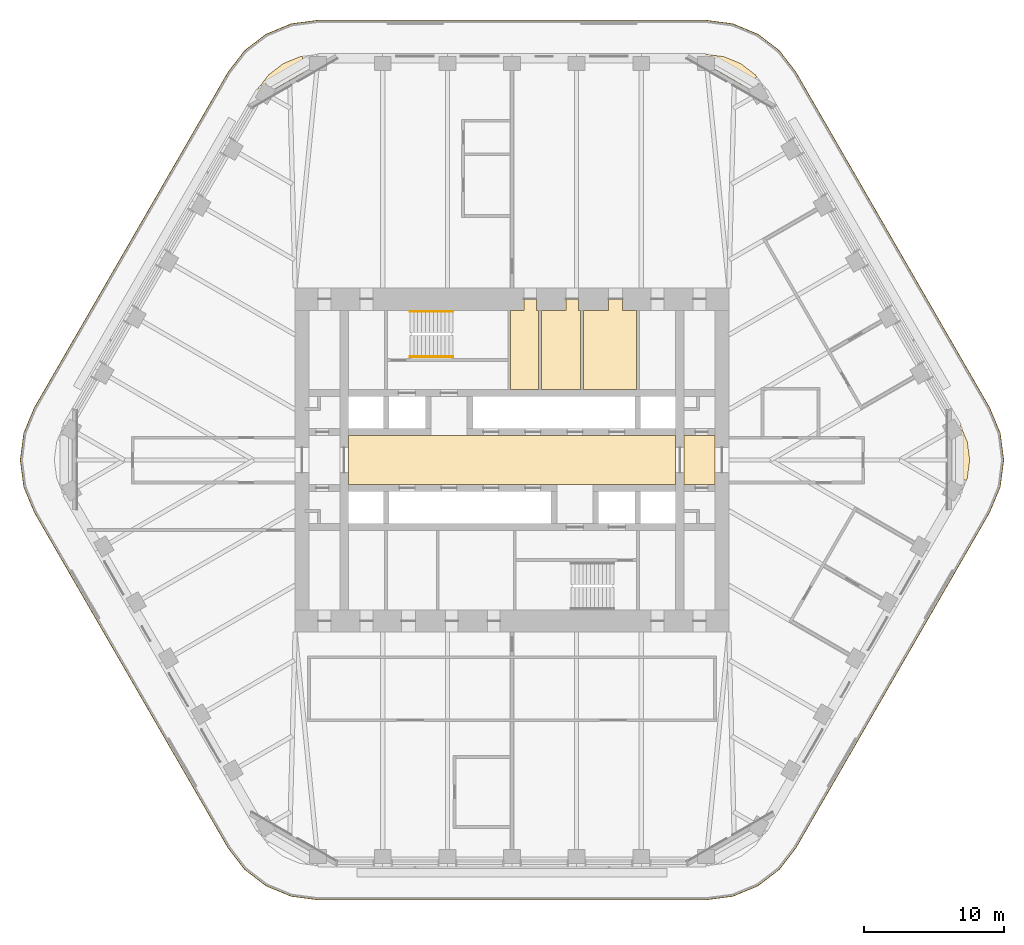
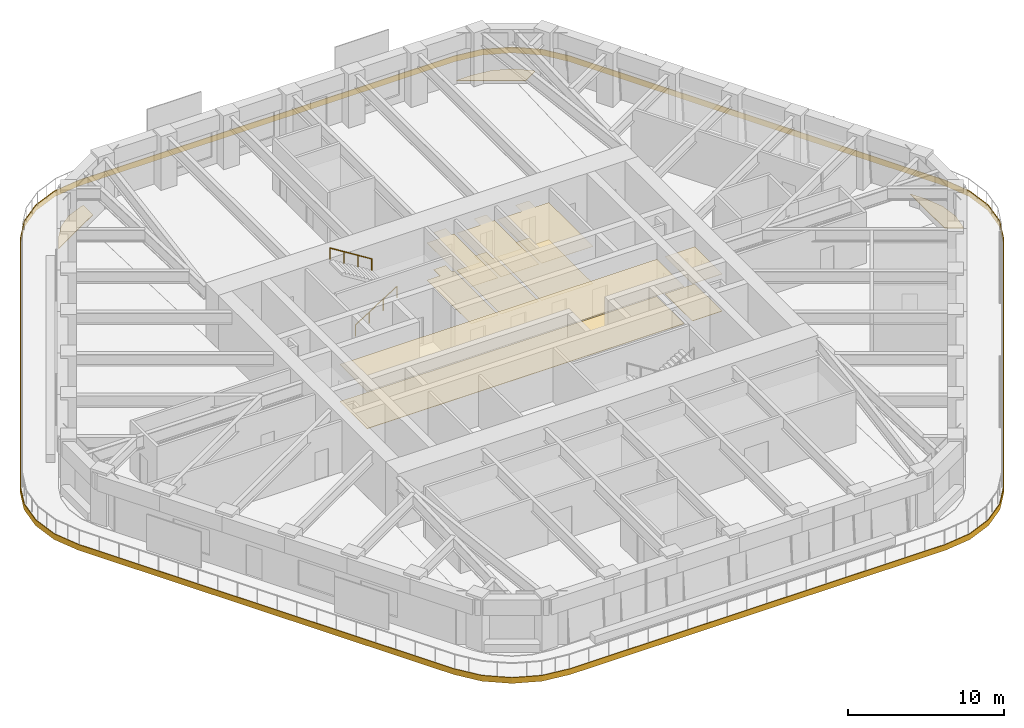
# One storey, part 19 of 20: 14 coverings, 2 railings.
"""IFC4 building model written with IfcOpenShell, lengths in metres."""

from ifc_helpers import new_model, si_unit, direction, frame, origin, origin_2d, place, context, subcontext, project, spatial, polyline, circle, outline, extrude, material, layer, layer_set, type_object, element, save


model = new_model("IFC4")

# Units and contexts
model_context = context("Model", 3, precision=1e-05, world=origin(), true_north=direction((0.0, 1.0)))
body_context = subcontext(model_context, "Body", "Model", "MODEL_VIEW")
ifc_project = project(units=[si_unit("LENGTHUNIT", "METRE"), si_unit("AREAUNIT", "SQUARE_METRE"), si_unit("VOLUMEUNIT", "CUBIC_METRE"), si_unit("PLANEANGLEUNIT", "RADIAN"), si_unit("MASSUNIT", "GRAM", prefix="KILO")], contexts=[model_context])

# Site, building, storey
site_placement = place(None, origin())
site = spatial("IfcSite", under=ifc_project, at=site_placement, CompositionType="ELEMENT")
building_placement = place(site_placement, origin())
building = spatial("IfcBuilding", under=site, at=building_placement, Name="Tarfa Lantern Tower", CompositionType="ELEMENT")
storey_placement = place(building_placement, frame((0.0, 0.0, 265.89990234375)))
storey = spatial("IfcBuildingStorey", under=building, at=storey_placement, Name="L60", CompositionType="ELEMENT", Elevation=265.89990234375)

# Coverings
ifc_material_1 = material(Name="Moisture-resistant plasterboard", Category="finish")
ifc_layer_1 = layer(ifc_material_1, 0.014892578125)
ifc_layer_set_1 = layer_set([ifc_layer_1], Name="CL2 MOISTURE-RESISTANT PLASTERBOARD CEILING 15")
covering_type_1 = type_object("IfcCoveringType", Name="CL2 MOISTURE-RESISTANT PLASTERBOARD CEILING 15", PredefinedType="CEILING", material=ifc_layer_set_1)
covering_1_placement = place(storey_placement, frame((0.0, 0.0, 2.900146484375)))
element("IfcCovering", 1, at=covering_1_placement, inside=storey, type_object=covering_type_1, Name="Ceiling L60-07", PredefinedType="CEILING", context=body_context, shape_type="SweptSolid", body=[
    extrude(outline(polyline([(0.85009765625, 10.699951171875), (-0.10009765625, 10.699951171875), (-0.10009765625, 5.050048828125), (1.89990234375, 5.050048828125), (1.89990234375, 10.699951171875), (1.75, 10.699951171875), (1.75, 11.5), (1.75, 11.5), (0.85009765625, 11.5), (0.85009765625, 10.699951171875)])), origin(), (0.0, 0.0, 1.0), 0.014892578125),
])
covering_2_placement = place(storey_placement, frame((0.0, 0.0, 2.900146484375)))
element("IfcCovering", 2, at=covering_2_placement, inside=storey, type_object=covering_type_1, Name="Ceiling L60-08", PredefinedType="CEILING", context=body_context, shape_type="SweptSolid", body=[
    extrude(outline(polyline([(2.10009765625, 5.050048828125), (4.89990234375, 5.050048828125), (4.89990234375, 10.699951171875), (4.75, 10.699951171875), (4.75, 11.5), (3.85009765625, 11.5), (3.85009765625, 10.699951171875), (2.10009765625, 10.699951171875), (2.10009765625, 5.050048828125)])), origin(), (0.0, 0.0, 1.0), 0.014892578125),
])
covering_3_placement = place(storey_placement, frame((0.0, 0.0, 2.900146484375)))
element("IfcCovering", 3, at=covering_3_placement, inside=storey, type_object=covering_type_1, Name="Ceiling L60-09", PredefinedType="CEILING", context=body_context, shape_type="SweptSolid", body=[
    extrude(outline(polyline([(5.10009765625, 5.050048828125), (8.89990234375, 5.050048828125), (8.89990234375, 10.699951171875), (7.89990234375, 10.699951171875), (7.89990234375, 11.5), (6.89990234375, 11.5), (6.89990234375, 10.699951171875), (5.10009765625, 10.699951171875), (5.10009765625, 5.050048828125)])), origin(), (0.0, 0.0, 1.0), 0.014892578125),
])
ifc_material_2 = material(Name="Powder-coated aluminium panel", Category="aluminium")
ifc_layer_2 = layer(ifc_material_2, 0.030029296875)
ifc_layer_set_2 = layer_set([ifc_layer_2], Name="CL3 METAL PANEL CEILING 30")
covering_type_2 = type_object("IfcCoveringType", Name="CL3 METAL PANEL CEILING 30", PredefinedType="CEILING", material=ifc_layer_set_2)
covering_4_placement = place(storey_placement, frame((0.0, 0.0, 2.900146484375)))
element("IfcCovering", 4, at=covering_4_placement, inside=storey, type_object=covering_type_2, Name="Ceiling L60-02", PredefinedType="CEILING", context=body_context, shape_type="SweptSolid", body=[
    extrude(outline(polyline([(-11.699951171875, -1.75), (11.699951171875, -1.75), (11.699951171875, 1.75), (-11.699951171875, 1.75), (-11.699951171875, -1.75)])), origin(), (0.0, 0.0, 1.0), 0.030029296875),
])
covering_5_placement = place(storey_placement, frame((0.0, 0.0, 2.900146484375)))
element("IfcCovering", 5, at=covering_5_placement, inside=storey, type_object=covering_type_2, Name="Ceiling L60-03", PredefinedType="CEILING", context=body_context, shape_type="SweptSolid", body=[
    extrude(outline(polyline([(12.300048828125, -1.75), (14.5, -1.75), (14.5, 1.75), (12.300048828125, 1.75), (12.300048828125, -1.75)])), origin(), (0.0, 0.0, 1.0), 0.030029296875),
])
ifc_material_3 = material(Name="Honed limestone flooring", Category="masonry")
ifc_layer_3 = layer(ifc_material_3, 0.030029296875)
ifc_layer_set_3 = layer_set([ifc_layer_3], Name="FL2 STONE FLOORING 30")
covering_type_3 = type_object("IfcCoveringType", Name="FL2 STONE FLOORING 30", PredefinedType="FLOORING", material=ifc_layer_set_3)
covering_6_placement = place(storey_placement, origin())
element("IfcCovering", 6, at=covering_6_placement, inside=storey, type_object=covering_type_3, Name="Floor finish L60-02", PredefinedType="FLOORING", context=body_context, shape_type="SweptSolid", body=[
    extrude(outline(polyline([(-11.699951171875, -1.75), (11.699951171875, -1.75), (11.699951171875, 1.75), (-11.699951171875, 1.75), (-11.699951171875, -1.75)])), origin(), (0.0, 0.0, 1.0), 0.030029296875),
])
covering_7_placement = place(storey_placement, origin())
element("IfcCovering", 7, at=covering_7_placement, inside=storey, type_object=covering_type_3, Name="Floor finish L60-03", PredefinedType="FLOORING", context=body_context, shape_type="SweptSolid", body=[
    extrude(outline(polyline([(12.300048828125, -1.75), (14.5, -1.75), (14.5, 1.75), (12.300048828125, 1.75), (12.300048828125, -1.75)])), origin(), (0.0, 0.0, 1.0), 0.030029296875),
])
ifc_material_4 = material(Name="Porcelain floor tile", Category="finish")
ifc_layer_4 = layer(ifc_material_4, 0.011962890625)
ifc_layer_set_4 = layer_set([ifc_layer_4], Name="FL3 CERAMIC TILE 12")
covering_type_4 = type_object("IfcCoveringType", Name="FL3 CERAMIC TILE 12", PredefinedType="FLOORING", material=ifc_layer_set_4)
covering_8_placement = place(storey_placement, origin())
element("IfcCovering", 8, at=covering_8_placement, inside=storey, type_object=covering_type_4, Name="Floor finish L60-07", PredefinedType="FLOORING", context=body_context, shape_type="SweptSolid", body=[
    extrude(outline(polyline([(0.85009765625, 10.699951171875), (-0.10009765625, 10.699951171875), (-0.10009765625, 5.050048828125), (1.89990234375, 5.050048828125), (1.89990234375, 10.699951171875), (1.75, 10.699951171875), (1.75, 11.5), (1.75, 11.5), (0.85009765625, 11.5), (0.85009765625, 10.699951171875)])), origin(), (0.0, 0.0, 1.0), 0.01220703125),
])
covering_9_placement = place(storey_placement, origin())
element("IfcCovering", 9, at=covering_9_placement, inside=storey, type_object=covering_type_4, Name="Floor finish L60-08", PredefinedType="FLOORING", context=body_context, shape_type="SweptSolid", body=[
    extrude(outline(polyline([(2.10009765625, 5.050048828125), (4.89990234375, 5.050048828125), (4.89990234375, 10.699951171875), (4.75, 10.699951171875), (4.75, 11.5), (3.85009765625, 11.5), (3.85009765625, 10.699951171875), (2.10009765625, 10.699951171875), (2.10009765625, 5.050048828125)])), origin(), (0.0, 0.0, 1.0), 0.01220703125),
])
covering_10_placement = place(storey_placement, origin())
element("IfcCovering", 10, at=covering_10_placement, inside=storey, type_object=covering_type_4, Name="Floor finish L60-09", PredefinedType="FLOORING", context=body_context, shape_type="SweptSolid", body=[
    extrude(outline(polyline([(5.10009765625, 5.050048828125), (8.89990234375, 5.050048828125), (8.89990234375, 10.699951171875), (7.89990234375, 10.699951171875), (7.89990234375, 11.5), (6.89990234375, 11.5), (6.89990234375, 10.699951171875), (5.10009765625, 10.699951171875), (5.10009765625, 5.050048828125)])), origin(), (0.0, 0.0, 1.0), 0.01220703125),
])

# Railings
ifc_material_5 = material(Name="Stainless steel", Category="steel")
railing_type = type_object("IfcRailingType", Name="HR1 HANDRAIL 900", PredefinedType="HANDRAIL", material=ifc_material_5)
railing_1_placement = place(storey_placement, frame((-7.300048828125, 7.3798828125, 0.175048828125)))
element("IfcRailing", 11, at=railing_1_placement, inside=storey, type_object=railing_type, Name="Handrail 1", PredefinedType="HANDRAIL", context=body_context, shape_type="SweptSolid", body=[
    extrude(circle(Radius=0.02392578125, at=origin_2d()), frame((0.0, 0.0, 0.8759765625), z_axis=(0.847998304005, 0.0, 0.529998940003), x_axis=(0.0, 1.0, 0.0)), (0.0, 0.0, 1.0), 3.632080078125),
    extrude(circle(Radius=0.02099609375, at=origin_2d()), frame((0.0, 0.0, 0.0), z_axis=(0.0, 0.0, 1.0), x_axis=(0.0, 1.0, 0.0)), (0.0, 0.0, 1.0), 0.851806640625),
    extrude(circle(Radius=0.02099609375, at=origin_2d()), frame((1.026611328125, 0.0, 0.6416015625), z_axis=(0.0, 0.0, 1.0), x_axis=(0.0, 1.0, 0.0)), (0.0, 0.0, 1.0), 0.851806640625),
    extrude(circle(Radius=0.02099609375, at=origin_2d()), frame((2.053466796875, 0.0, 1.283447265625), z_axis=(0.0, 0.0, 1.0), x_axis=(0.0, 1.0, 0.0)), (0.0, 0.0, 1.0), 0.851806640625),
    extrude(circle(Radius=0.02099609375, at=origin_2d()), frame((3.080078125, 0.0, 1.925048828125), z_axis=(0.0, 0.0, 1.0), x_axis=(0.0, 1.0, 0.0)), (0.0, 0.0, 1.0), 0.851806640625),
])
railing_2_placement = place(storey_placement, frame((-4.219970703125, 10.6201171875, 2.275146484375)))
element("IfcRailing", 12, at=railing_2_placement, inside=storey, type_object=railing_type, Name="Handrail 2", PredefinedType="HANDRAIL", context=body_context, shape_type="SweptSolid", body=[
    extrude(circle(Radius=0.02392578125, at=origin_2d()), frame((0.0, 0.0, 0.8759765625), z_axis=(-0.847998304005, 0.0, 0.529998940003), x_axis=(0.0, -1.0, 0.0)), (0.0, 0.0, 1.0), 3.632080078125),
    extrude(circle(Radius=0.02099609375, at=origin_2d()), frame((0.0, 0.0, 0.0), z_axis=(0.0, 0.0, 1.0), x_axis=(0.0, -1.0, 0.0)), (0.0, 0.0, 1.0), 0.851806640625),
    extrude(circle(Radius=0.02099609375, at=origin_2d()), frame((-1.026611328125, 0.0, 0.6416015625), z_axis=(0.0, 0.0, 1.0), x_axis=(0.0, -1.0, 0.0)), (0.0, 0.0, 1.0), 0.851806640625),
    extrude(circle(Radius=0.02099609375, at=origin_2d()), frame((-2.053466796875, 0.0, 1.283447265625), z_axis=(0.0, 0.0, 1.0), x_axis=(0.0, -1.0, 0.0)), (0.0, 0.0, 1.0), 0.851806640625),
    extrude(circle(Radius=0.02099609375, at=origin_2d()), frame((-3.080078125, 0.0, 1.925048828125), z_axis=(0.0, 0.0, 1.0), x_axis=(0.0, -1.0, 0.0)), (0.0, 0.0, 1.0), 0.851806640625),
])

# Coverings
ifc_material_6 = material(Name="Porcelain pavers on pedestals", Category="ceramic")
ifc_layer_5 = layer(ifc_material_6, 0.0400390625)
ifc_layer_set_5 = layer_set([ifc_layer_5], Name="LP1 LOGGIA PAVING 40")
covering_type_5 = type_object("IfcCoveringType", Name="LP1 LOGGIA PAVING 40", PredefinedType="FLOORING", material=ifc_layer_set_5)
covering_11_placement = place(storey_placement, origin())
element("IfcCovering", 13, at=covering_11_placement, inside=storey, type_object=covering_type_5, Name="Sky garden paving NE-N", PredefinedType="FLOORING", context=body_context, shape_type="SweptSolid", body=[
    extrude(outline(polyline([(15.150390625, 28.82958984375), (16.3564453125, 28.330078125), (17.391845703125, 27.53564453125), (17.51123046875, 27.380126953125), (16.4765625, 26.782958984375), (12.641357421875, 28.997314453125), (12.64306640625, 29.0), (13.8564453125, 29.0), (15.150390625, 28.82958984375)])), origin(), (0.0, 0.0, 1.0), 0.0400390625),
])
covering_12_placement = place(storey_placement, origin())
element("IfcCovering", 14, at=covering_12_placement, inside=storey, type_object=covering_type_5, Name="Sky garden paving N-NW", PredefinedType="FLOORING", context=body_context, shape_type="SweptSolid", body=[
    extrude(outline(polyline([(-17.391845703125, 27.53564453125), (-16.3564453125, 28.330078125), (-15.150390625, 28.82958984375), (-14.956298828125, 28.855224609375), (-14.956298828125, 27.66064453125), (-18.791748046875, 25.4462890625), (-18.793212890625, 25.44921875), (-18.1865234375, 26.5), (-17.391845703125, 27.53564453125)])), origin(), (0.0, 0.0, 1.0), 0.0400390625),
])
covering_13_placement = place(storey_placement, origin())
element("IfcCovering", 15, at=covering_13_placement, inside=storey, type_object=covering_type_5, Name="Sky garden paving SE-NE", PredefinedType="FLOORING", context=body_context, shape_type="SweptSolid", body=[
    extrude(outline(polyline([(32.54248046875, 1.294189453125), (32.712890625, 0.0), (32.54248046875, -1.294189453125), (32.467529296875, -1.474853515625), (31.43310546875, -0.877685546875), (31.43310546875, 3.55078125), (31.436279296875, 3.55078125), (32.04296875, 2.5), (32.54248046875, 1.294189453125)])), origin(), (0.0, 0.0, 1.0), 0.0400390625),
])
ifc_material_7 = material(Name="Limestone cladding on brackets", Category="masonry")
ifc_layer_6 = layer(ifc_material_7, 0.050048828125)
ifc_layer_set_6 = layer_set([ifc_layer_6], Name="SB1 STONE BAND CLADDING 50")
covering_type_6 = type_object("IfcCoveringType", Name="SB1 STONE BAND CLADDING 50", PredefinedType="CLADDING", material=ifc_layer_set_6)
covering_14_placement = place(storey_placement, frame((0.0, 0.0, -0.39990234375)))
element("IfcCovering", 16, at=covering_14_placement, inside=storey, type_object=covering_type_6, Name="Stone band", PredefinedType="CLADDING", context=body_context, shape_type="SweptSolid", body=[
    extrude(outline(polyline([(34.164794921875, 3.72509765625), (20.308349609375, 27.72509765625), (19.124267578125, 29.26806640625), (17.581298828125, 30.451904296875), (15.78466796875, 31.196044921875), (13.8564453125, 31.449951171875), (-13.8564453125, 31.449951171875), (-15.78466796875, 31.196044921875), (-17.581298828125, 30.451904296875), (-19.124267578125, 29.26806640625), (-20.308349609375, 27.72509765625), (-34.164794921875, 3.72509765625), (-34.908935546875, 1.92822265625), (-35.162841796875, 0.0), (-34.908935546875, -1.92822265625), (-34.164794921875, -3.72509765625), (-20.308349609375, -27.72509765625), (-19.124267578125, -29.26806640625), (-17.581298828125, -30.451904296875), (-15.78466796875, -31.196044921875), (-13.8564453125, -31.449951171875), (13.8564453125, -31.449951171875), (15.78466796875, -31.196044921875), (17.581298828125, -30.451904296875), (19.124267578125, -29.26806640625), (20.308349609375, -27.72509765625), (34.164794921875, -3.72509765625), (34.908935546875, -1.92822265625), (35.162841796875, 0.0), (34.908935546875, 1.92822265625), (34.164794921875, 3.72509765625)]), holes=[polyline([(34.121337890625, 3.699951171875), (20.264892578125, 27.699951171875), (19.089111328125, 29.232666015625), (17.556396484375, 30.40869140625), (15.771728515625, 31.14794921875), (13.8564453125, 31.39990234375), (-13.8564453125, 31.39990234375), (-15.771728515625, 31.14794921875), (-17.556396484375, 30.40869140625), (-19.089111328125, 29.232666015625), (-20.264892578125, 27.699951171875), (-34.121337890625, 3.699951171875), (-34.860595703125, 1.915283203125), (-35.11279296875, 0.0), (-34.860595703125, -1.915283203125), (-34.121337890625, -3.699951171875), (-20.264892578125, -27.699951171875), (-19.089111328125, -29.232666015625), (-17.556396484375, -30.40869140625), (-15.771728515625, -31.14794921875), (-13.8564453125, -31.39990234375), (13.8564453125, -31.39990234375), (15.771728515625, -31.14794921875), (17.556396484375, -30.40869140625), (19.089111328125, -29.232666015625), (20.264892578125, -27.699951171875), (34.121337890625, -3.699951171875), (34.860595703125, -1.915283203125), (35.11279296875, 0.0), (34.860595703125, 1.915283203125), (34.121337890625, 3.699951171875)])]), origin(), (0.0, 0.0, 1.0), 0.449951171875),
])

save(model, "model.ifc")
